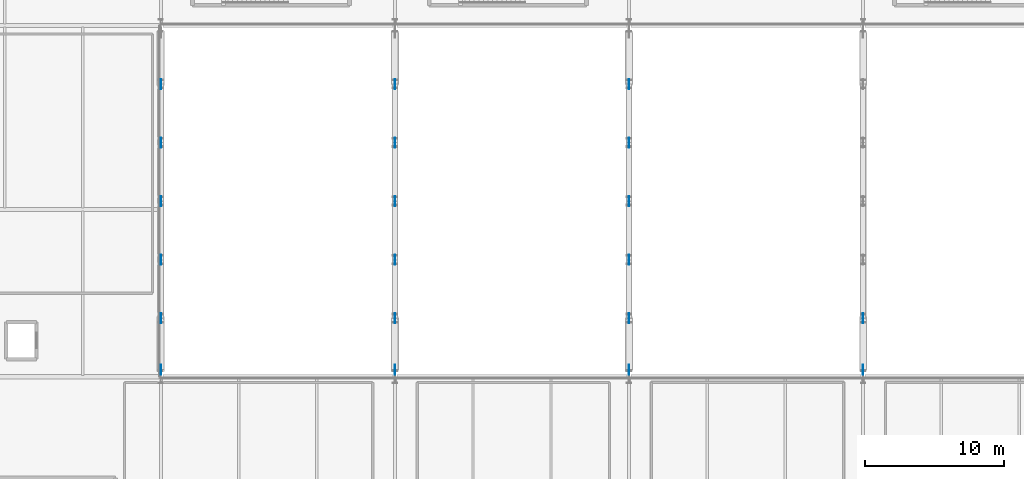
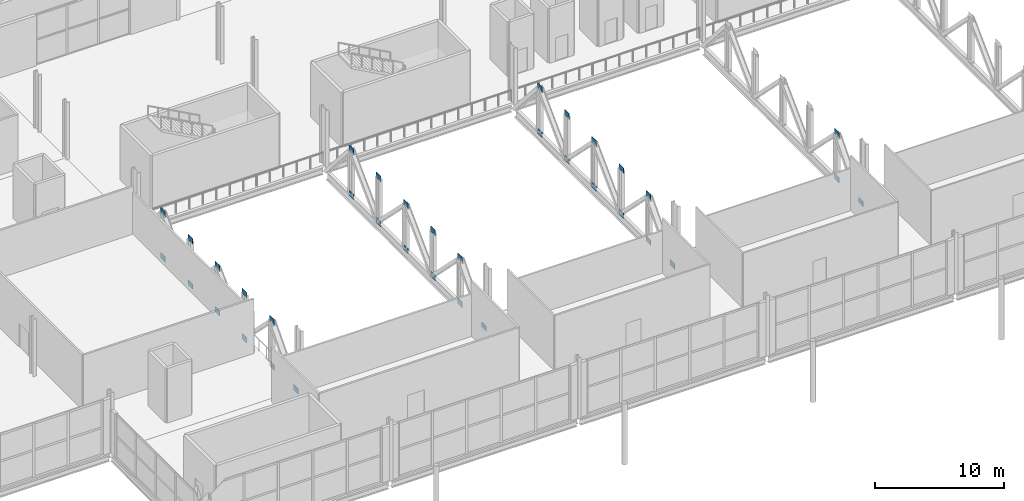
# One storey, part 54 of 84: 36 plates.
"""IFC4 building model written with IfcOpenShell, lengths in metres."""

from ifc_helpers import new_model, si_unit, direction, frame, origin, origin_2d, place, context, subcontext, project, spatial, rectangle, extrude, material, layer, layer_set, type_object, element, save


model = new_model("IFC4")

# Units and contexts
model_context = context("Model", 3, precision=1e-05, world=origin(), true_north=direction((0.0, 1.0)))
body_context = subcontext(model_context, "Body", "Model", "MODEL_VIEW")
ifc_project = project(units=[si_unit("LENGTHUNIT", "METRE"), si_unit("AREAUNIT", "SQUARE_METRE"), si_unit("VOLUMEUNIT", "CUBIC_METRE"), si_unit("PLANEANGLEUNIT", "RADIAN"), si_unit("MASSUNIT", "GRAM", prefix="KILO")], contexts=[model_context])

# Site, building, storey
site_placement = place(None, origin())
site = spatial("IfcSite", under=ifc_project, at=site_placement, CompositionType="ELEMENT")
building_placement = place(site_placement, origin())
building = spatial("IfcBuilding", under=site, at=building_placement, Name="Kimbaza Rail Terminus", CompositionType="ELEMENT")
storey_placement = place(building_placement, frame((0.0, 0.0, 5.39990234375)))
storey = spatial("IfcBuildingStorey", under=building, at=storey_placement, Name="L01", CompositionType="ELEMENT", Elevation=5.39990234375)

# Plates
ifc_material = material(Name="Steel S355", Category="steel")
ifc_layer = layer(ifc_material, 0.034912109375)
ifc_layer_set = layer_set([ifc_layer], Name="Steel S355")
plate_type = type_object("IfcPlateType", Name="STR-PL-WT01", PredefinedType="USERDEFINED", material=ifc_layer_set)
for number, where, z_axis, x_axis, name in (
    (1, (72.0, 59.199951171875, -0.52685546875), (0.0, 0.0, 1.0), (1.0, 0.0, 0.0), "Warren Truss Gusset Plate GP-01 WT-01"),
    (2, (72.0, 59.199951171875, 3.72509765625), (0.0, 0.0, 1.0), (1.0, 0.0, 0.0), "Warren Truss Gusset Plate GP-01 WT-01"),
    (3, (72.0, 63.39990234375, -0.52685546875), (0.0, 0.0, 1.0), (1.0, 0.0, 0.0), "Warren Truss Gusset Plate GP-01 WT-01"),
    (4, (72.0, 63.39990234375, 3.72509765625), (0.0, 0.0, 1.0), (1.0, 0.0, 0.0), "Warren Truss Gusset Plate GP-01 WT-01"),
    (5, (72.0, 67.60009765625, -0.52685546875), (0.0, 0.0, 1.0), (1.0, 0.0, 0.0), "Warren Truss Gusset Plate GP-01 WT-01"),
    (6, (72.0, 67.60009765625, 3.72509765625), (0.0, 0.0, 1.0), (1.0, 0.0, 0.0), "Warren Truss Gusset Plate GP-01 WT-01"),
    (7, (72.0, 71.800048828125, -0.52685546875), (0.0, 0.0, 1.0), (1.0, 0.0, 0.0), "Warren Truss Gusset Plate GP-01 WT-01"),
    (8, (72.0, 71.800048828125, 3.72509765625), (0.0, 0.0, 1.0), (1.0, 0.0, 0.0), "Warren Truss Gusset Plate GP-01 WT-01"),
    (9, (72.0, 76.0, -0.52685546875), (0.0, 0.0, 1.0), (1.0, 0.0, 0.0), "Warren Truss Gusset Plate GP-01 WT-01"),
    (10, (72.0, 76.0, 3.72509765625), (0.0, 0.0, 1.0), (1.0, 0.0, 0.0), "Warren Truss Gusset Plate GP-01 WT-01"),
    (11, (72.0, 55.5, -0.52685546875), (0.0, 0.0, 1.0), (1.0, 0.0, 0.0), "Warren Truss End Gusset Plate GP-01 WT-01"),
    (12, (88.800048828125, 59.199951171875, -0.52685546875), (0.0, 0.0, 1.0), (1.0, 0.0, 0.0), "Warren Truss Gusset Plate GP-01 WT-02"),
    (13, (88.800048828125, 59.199951171875, 3.72509765625), (0.0, 0.0, 1.0), (1.0, 0.0, 0.0), "Warren Truss Gusset Plate GP-01 WT-02"),
    (14, (88.800048828125, 63.39990234375, -0.52685546875), (0.0, 0.0, 1.0), (1.0, 0.0, 0.0), "Warren Truss Gusset Plate GP-01 WT-02"),
    (15, (88.800048828125, 63.39990234375, 3.72509765625), (0.0, 0.0, 1.0), (1.0, 0.0, 0.0), "Warren Truss Gusset Plate GP-01 WT-02"),
    (16, (88.800048828125, 67.60009765625, -0.52685546875), (0.0, 0.0, 1.0), (1.0, 0.0, 0.0), "Warren Truss Gusset Plate GP-01 WT-02"),
    (17, (88.800048828125, 67.60009765625, 3.72509765625), (0.0, 0.0, 1.0), (1.0, 0.0, 0.0), "Warren Truss Gusset Plate GP-01 WT-02"),
    (18, (88.800048828125, 71.800048828125, -0.52685546875), (0.0, 0.0, 1.0), (1.0, 0.0, 0.0), "Warren Truss Gusset Plate GP-01 WT-02"),
    (19, (88.800048828125, 71.800048828125, 3.72509765625), (0.0, 0.0, 1.0), (1.0, 0.0, 0.0), "Warren Truss Gusset Plate GP-01 WT-02"),
    (20, (88.800048828125, 76.0, -0.52685546875), (0.0, 0.0, 1.0), (1.0, 0.0, 0.0), "Warren Truss Gusset Plate GP-01 WT-02"),
    (21, (88.800048828125, 76.0, 3.72509765625), (0.0, 0.0, 1.0), (1.0, 0.0, 0.0), "Warren Truss Gusset Plate GP-01 WT-02"),
    (22, (88.800048828125, 55.5, -0.52685546875), (0.0, 0.0, 1.0), (1.0, 0.0, 0.0), "Warren Truss End Gusset Plate GP-01 WT-02"),
    (23, (105.60009765625, 59.199951171875, -0.52685546875), (0.0, 0.0, 1.0), (1.0, 0.0, 0.0), "Warren Truss Gusset Plate GP-01 WT-03"),
    (24, (105.60009765625, 59.199951171875, 3.72509765625), (0.0, 0.0, 1.0), (1.0, 0.0, 0.0), "Warren Truss Gusset Plate GP-01 WT-03"),
    (25, (105.60009765625, 63.39990234375, -0.52685546875), (0.0, 0.0, 1.0), (1.0, 0.0, 0.0), "Warren Truss Gusset Plate GP-01 WT-03"),
    (26, (105.60009765625, 63.39990234375, 3.72509765625), (0.0, 0.0, 1.0), (1.0, 0.0, 0.0), "Warren Truss Gusset Plate GP-01 WT-03"),
    (27, (105.60009765625, 67.60009765625, -0.52685546875), (0.0, 0.0, 1.0), (1.0, 0.0, 0.0), "Warren Truss Gusset Plate GP-01 WT-03"),
    (28, (105.60009765625, 67.60009765625, 3.72509765625), (0.0, 0.0, 1.0), (1.0, 0.0, 0.0), "Warren Truss Gusset Plate GP-01 WT-03"),
    (29, (105.60009765625, 71.800048828125, -0.52685546875), (0.0, 0.0, 1.0), (1.0, 0.0, 0.0), "Warren Truss Gusset Plate GP-01 WT-03"),
    (30, (105.60009765625, 71.800048828125, 3.72509765625), (0.0, 0.0, 1.0), (1.0, 0.0, 0.0), "Warren Truss Gusset Plate GP-01 WT-03"),
    (31, (105.60009765625, 76.0, -0.52685546875), (0.0, 0.0, 1.0), (1.0, 0.0, 0.0), "Warren Truss Gusset Plate GP-01 WT-03"),
    (32, (105.60009765625, 76.0, 3.72509765625), (0.0, 0.0, 1.0), (1.0, 0.0, 0.0), "Warren Truss Gusset Plate GP-01 WT-03"),
    (33, (105.60009765625, 55.5, -0.52685546875), (0.0, 0.0, 1.0), (1.0, 0.0, 0.0), "Warren Truss End Gusset Plate GP-01 WT-03"),
    (34, (122.39990234375, 59.199951171875, -0.52685546875), (0.0, 0.0, 1.0), (1.0, 0.0, 0.0), "Warren Truss Gusset Plate GP-01 WT-04"),
    (35, (122.39990234375, 59.199951171875, 3.72509765625), (0.0, 0.0, 1.0), (1.0, 0.0, 0.0), "Warren Truss Gusset Plate GP-01 WT-04"),
    (36, (122.39990234375, 55.5, -0.52685546875), (0.0, 0.0, 1.0), (1.0, 0.0, 0.0), "Warren Truss End Gusset Plate GP-01 WT-04"),
):
    element("IfcPlate", number, at=place(storey_placement, frame(where, z_axis=z_axis, x_axis=x_axis)), inside=storey, type_object=plate_type, Name=name, ObjectType="GUSSET PLATE", PredefinedType="USERDEFINED", context=body_context, shape_type="SweptSolid", body=[
        extrude(rectangle(XDim=0.034912109375, YDim=0.719970703125, at=origin_2d()), origin(), (0.0, 0.0, 1.0), 0.5),
    ])

save(model, "model.ifc")
